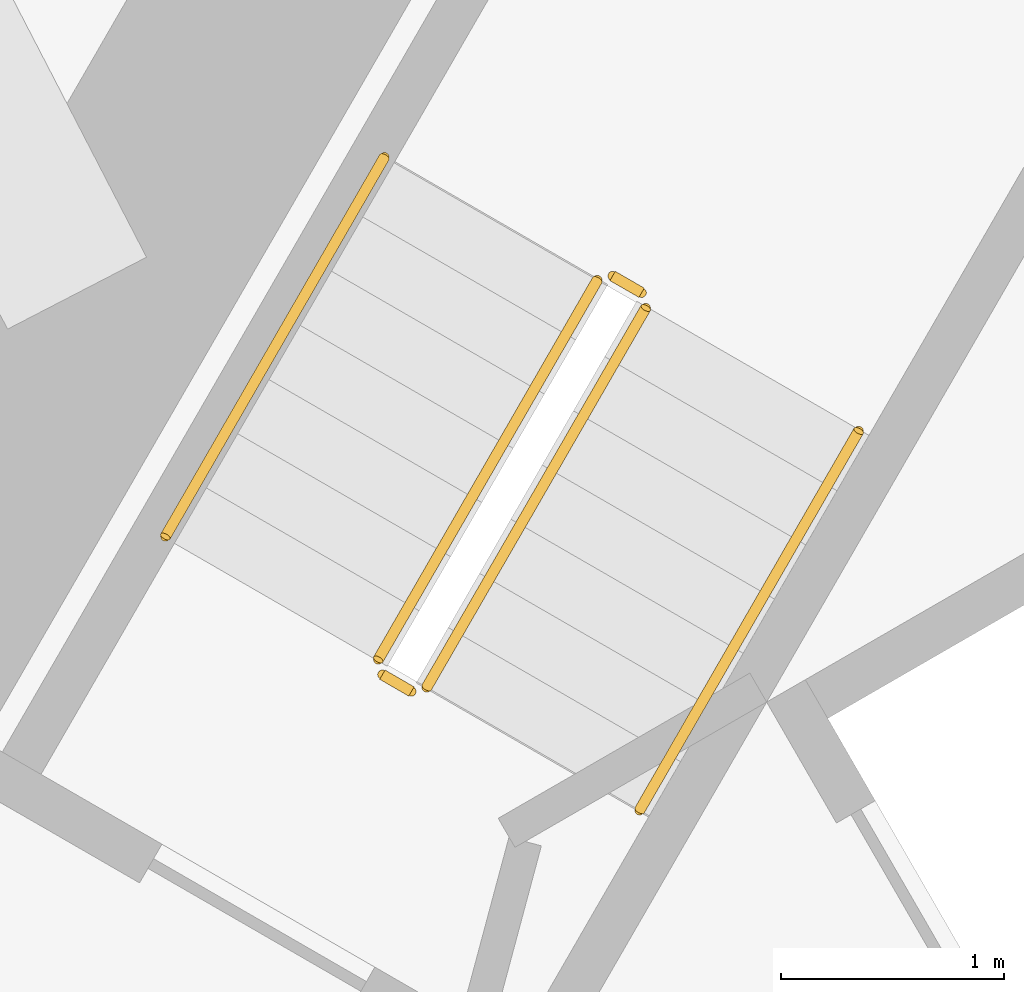
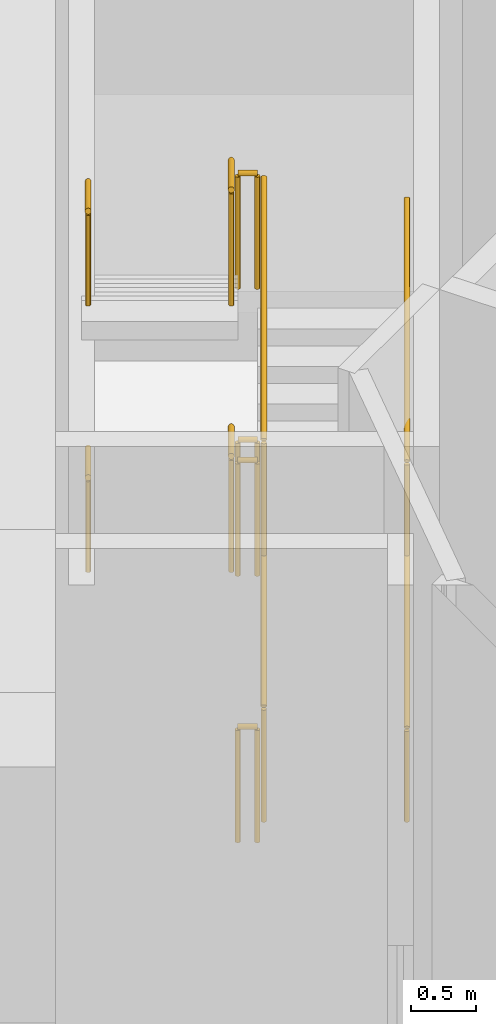
# One storey, part 18 of 20: 12 railings.
"""IFC4 building model written with IfcOpenShell, lengths in metres."""

from ifc_helpers import new_model, si_unit, direction, frame, origin, origin_2d, place, context, subcontext, project, spatial, circle, extrude, material, type_object, element, save


model = new_model("IFC4")

# Units and contexts
model_context = context("Model", 3, precision=1e-05, world=origin(), true_north=direction((0.0, 1.0)))
body_context = subcontext(model_context, "Body", "Model", "MODEL_VIEW")
ifc_project = project(units=[si_unit("LENGTHUNIT", "METRE"), si_unit("AREAUNIT", "SQUARE_METRE"), si_unit("VOLUMEUNIT", "CUBIC_METRE"), si_unit("PLANEANGLEUNIT", "RADIAN"), si_unit("MASSUNIT", "GRAM", prefix="KILO")], contexts=[model_context])

# Site, building, storey
site_placement = place(None, origin())
site = spatial("IfcSite", under=ifc_project, at=site_placement, CompositionType="ELEMENT")
building_placement = place(site_placement, origin())
building = spatial("IfcBuilding", under=site, at=building_placement, Name="Tramontana Tower", CompositionType="ELEMENT")
storey_placement = place(building_placement, frame((0.0, 0.0, 15.0)))
storey = spatial("IfcBuildingStorey", under=building, at=storey_placement, Name="L02", CompositionType="ELEMENT", Elevation=15.0)

# Railings
ifc_material_1 = material(Name="Painted steel", Category="steel")
railing_type_1 = type_object("IfcRailingType", Name="STAIR GUARD 1100", PredefinedType="GUARDRAIL", material=ifc_material_1)
railing_1_placement = place(storey_placement, frame((-1.867431640625, 4.865478515625, 0.15625)))
element("IfcRailing", 1, at=railing_1_placement, inside=storey, type_object=railing_type_1, Name="L02 ST1 stair guard 1", PredefinedType="GUARDRAIL", context=body_context, shape_type="SweptSolid", body=[
    extrude(circle(Radius=0.02392578125, at=origin_2d()), frame((0.0, 0.0, 1.076171875), z_axis=(0.436596390967, 0.756266742998, 0.487282469241), x_axis=(-0.866042469362, 0.499970440388, 0.0)), (0.0, 0.0, 1.0), 2.24462890625),
    extrude(circle(Radius=0.02099609375, at=origin_2d()), origin(), (0.0, 0.0, 1.0), 1.052001953125),
    extrude(circle(Radius=0.02099609375, at=origin_2d()), frame((0.489990234375, 0.8486328125, 0.546875)), (0.0, 0.0, 1.0), 1.052001953125),
    extrude(circle(Radius=0.02099609375, at=origin_2d()), frame((0.97998046875, 1.697509765625, 1.09375)), (0.0, 0.0, 1.0), 1.052001953125),
])
railing_2_placement = place(storey_placement, frame((-1.10400390625, 6.68798828125, 1.40625)))
element("IfcRailing", 2, at=railing_2_placement, inside=storey, type_object=railing_type_1, Name="L02 ST1 stair guard 2", PredefinedType="GUARDRAIL", context=body_context, shape_type="SweptSolid", body=[
    extrude(circle(Radius=0.02392578125, at=origin_2d()), frame((0.0, 0.0, 1.076171875), z_axis=(-0.436596390967, -0.756266742998, 0.487282469241), x_axis=(0.866042469362, -0.499970440388, 0.0)), (0.0, 0.0, 1.0), 2.24462890625),
    extrude(circle(Radius=0.02099609375, at=origin_2d()), origin(), (0.0, 0.0, 1.0), 1.052001953125),
    extrude(circle(Radius=0.02099609375, at=origin_2d()), frame((-0.489990234375, -0.8486328125, 0.546875)), (0.0, 0.0, 1.0), 1.052001953125),
    extrude(circle(Radius=0.02099609375, at=origin_2d()), frame((-0.97998046875, -1.697509765625, 1.09375)), (0.0, 0.0, 1.0), 1.052001953125),
])
railing_3_placement = place(storey_placement, frame((-1.867431640625, 4.865478515625, 2.65625)))
element("IfcRailing", 3, at=railing_3_placement, inside=storey, type_object=railing_type_1, Name="L02 ST1 stair guard 3", PredefinedType="GUARDRAIL", context=body_context, shape_type="SweptSolid", body=[
    extrude(circle(Radius=0.02392578125, at=origin_2d()), frame((0.0, 0.0, 1.076171875), z_axis=(0.436596390967, 0.756266742998, 0.487282469241), x_axis=(-0.866042469362, 0.499970440388, 0.0)), (0.0, 0.0, 1.0), 2.24462890625),
    extrude(circle(Radius=0.02099609375, at=origin_2d()), origin(), (0.0, 0.0, 1.0), 1.052001953125),
    extrude(circle(Radius=0.02099609375, at=origin_2d()), frame((0.489990234375, 0.8486328125, 0.546875)), (0.0, 0.0, 1.0), 1.052001953125),
    extrude(circle(Radius=0.02099609375, at=origin_2d()), frame((0.97998046875, 1.697509765625, 1.09375)), (0.0, 0.0, 1.0), 1.052001953125),
])
railing_4_placement = place(storey_placement, frame((-1.10400390625, 6.68798828125, 3.90625)))
element("IfcRailing", 4, at=railing_4_placement, inside=storey, type_object=railing_type_1, Name="L02 ST1 stair guard 4", PredefinedType="GUARDRAIL", context=body_context, shape_type="SweptSolid", body=[
    extrude(circle(Radius=0.02392578125, at=origin_2d()), frame((0.0, 0.0, 1.076171875), z_axis=(-0.436596390967, -0.756266742998, 0.487282469241), x_axis=(0.866042469362, -0.499970440388, 0.0)), (0.0, 0.0, 1.0), 2.24462890625),
    extrude(circle(Radius=0.02099609375, at=origin_2d()), origin(), (0.0, 0.0, 1.0), 1.052001953125),
    extrude(circle(Radius=0.02099609375, at=origin_2d()), frame((-0.489990234375, -0.8486328125, 0.546875)), (0.0, 0.0, 1.0), 1.052001953125),
    extrude(circle(Radius=0.02099609375, at=origin_2d()), frame((-0.97998046875, -1.697509765625, 1.09375)), (0.0, 0.0, 1.0), 1.052001953125),
])
railing_5_placement = place(storey_placement, frame((-0.90576171875, 6.63134765625, 1.25)))
element("IfcRailing", 5, at=railing_5_placement, inside=storey, type_object=railing_type_1, Name="L02 ST1 stair guard 5", PredefinedType="GUARDRAIL", context=body_context, shape_type="SweptSolid", body=[
    extrude(circle(Radius=0.02392578125, at=origin_2d()), frame((0.0, 0.0, 1.076171875), z_axis=(-0.866131372301, 0.499816412211, 0.0), x_axis=(-0.499816412211, -0.866131372301, 0.0)), (0.0, 0.0, 1.0), 0.14990234375),
    extrude(circle(Radius=0.02099609375, at=origin_2d()), origin(), (0.0, 0.0, 1.0), 1.052001953125),
    extrude(circle(Radius=0.02099609375, at=origin_2d()), frame((-0.1298828125, 0.074951171875, 0.0)), (0.0, 0.0, 1.0), 1.052001953125),
])
railing_6_placement = place(storey_placement, frame((-1.935791015625, 4.84716796875, 2.5)))
element("IfcRailing", 6, at=railing_6_placement, inside=storey, type_object=railing_type_1, Name="L02 ST1 stair guard 6", PredefinedType="GUARDRAIL", context=body_context, shape_type="SweptSolid", body=[
    extrude(circle(Radius=0.02392578125, at=origin_2d()), frame((0.0, 0.0, 1.076171875), z_axis=(-0.865426285481, 0.501036270542, 0.0), x_axis=(-0.501036270542, -0.865426285481, 0.0)), (0.0, 0.0, 1.0), 0.150146484375),
    extrude(circle(Radius=0.02099609375, at=origin_2d()), origin(), (0.0, 0.0, 1.0), 1.052001953125),
    extrude(circle(Radius=0.02099609375, at=origin_2d()), frame((-0.1298828125, 0.0751953125, 0.0)), (0.0, 0.0, 1.0), 1.052001953125),
])
railing_7_placement = place(storey_placement, frame((-0.90576171875, 6.63134765625, 3.75)))
element("IfcRailing", 7, at=railing_7_placement, inside=storey, type_object=railing_type_1, Name="L02 ST1 stair guard 7", PredefinedType="GUARDRAIL", context=body_context, shape_type="SweptSolid", body=[
    extrude(circle(Radius=0.02392578125, at=origin_2d()), frame((0.0, 0.0, 1.076171875), z_axis=(-0.866131372301, 0.499816412211, 0.0), x_axis=(-0.499816412211, -0.866131372301, 0.0)), (0.0, 0.0, 1.0), 0.14990234375),
    extrude(circle(Radius=0.02099609375, at=origin_2d()), origin(), (0.0, 0.0, 1.0), 1.052001953125),
    extrude(circle(Radius=0.02099609375, at=origin_2d()), frame((-0.1298828125, 0.074951171875, 0.0)), (0.0, 0.0, 1.0), 1.052001953125),
])
railing_8_placement = place(storey_placement, frame((-1.935791015625, 4.84716796875, 0.0)))
element("IfcRailing", 8, at=railing_8_placement, inside=storey, type_object=railing_type_1, Name="L02 ST1 stair guard 8", PredefinedType="GUARDRAIL", context=body_context, shape_type="SweptSolid", body=[
    extrude(circle(Radius=0.02392578125, at=origin_2d()), frame((0.0, 0.0, 1.076171875), z_axis=(-0.865426285481, 0.501036270542, 0.0), x_axis=(-0.501036270542, -0.865426285481, 0.0)), (0.0, 0.0, 1.0), 0.150146484375),
    extrude(circle(Radius=0.02099609375, at=origin_2d()), origin(), (0.0, 0.0, 1.0), 1.052001953125),
    extrude(circle(Radius=0.02099609375, at=origin_2d()), frame((-0.1298828125, 0.0751953125, 0.0)), (0.0, 0.0, 1.0), 1.052001953125),
])
ifc_material_2 = material(Name="Painted steel", Category="steel")
railing_type_2 = type_object("IfcRailingType", Name="STAIR HANDRAIL 900", PredefinedType="HANDRAIL", material=ifc_material_2)
railing_9_placement = place(storey_placement, frame((-0.914794921875, 4.315673828125, 0.15625)))
element("IfcRailing", 9, at=railing_9_placement, inside=storey, type_object=railing_type_2, Name="L02 ST1 stair handrail 1", PredefinedType="HANDRAIL", context=body_context, shape_type="SweptSolid", body=[
    extrude(circle(Radius=0.02392578125, at=origin_2d()), frame((0.0, 0.0, 0.8759765625), z_axis=(0.436632306331, 0.756220177781, 0.487322554151), x_axis=(-0.866011328839, 0.500024377727, 0.0)), (0.0, 0.0, 1.0), 2.244384765625),
    extrude(circle(Radius=0.02099609375, at=origin_2d()), origin(), (0.0, 0.0, 1.0), 0.851806640625),
    extrude(circle(Radius=0.02099609375, at=origin_2d()), frame((0.489990234375, 0.8486328125, 0.546875)), (0.0, 0.0, 1.0), 0.851806640625),
    extrude(circle(Radius=0.02099609375, at=origin_2d()), frame((0.97998046875, 1.697265625, 1.09375)), (0.0, 0.0, 1.0), 0.851806640625),
])
railing_10_placement = place(storey_placement, frame((-2.056640625, 7.238037109375, 1.40625)))
element("IfcRailing", 10, at=railing_10_placement, inside=storey, type_object=railing_type_2, Name="L02 ST1 stair handrail 2", PredefinedType="HANDRAIL", context=body_context, shape_type="SweptSolid", body=[
    extrude(circle(Radius=0.02392578125, at=origin_2d()), frame((0.0, 0.0, 0.8759765625), z_axis=(-0.436596390967, -0.756266742998, 0.487282469241), x_axis=(0.866042469362, -0.499970440388, 0.0)), (0.0, 0.0, 1.0), 2.24462890625),
    extrude(circle(Radius=0.02099609375, at=origin_2d()), origin(), (0.0, 0.0, 1.0), 0.851806640625),
    extrude(circle(Radius=0.02099609375, at=origin_2d()), frame((-0.489990234375, -0.8486328125, 0.546875)), (0.0, 0.0, 1.0), 0.851806640625),
    extrude(circle(Radius=0.02099609375, at=origin_2d()), frame((-0.97998046875, -1.697509765625, 1.09375)), (0.0, 0.0, 1.0), 0.851806640625),
])
railing_11_placement = place(storey_placement, frame((-0.914794921875, 4.315673828125, 2.65625)))
element("IfcRailing", 11, at=railing_11_placement, inside=storey, type_object=railing_type_2, Name="L02 ST1 stair handrail 3", PredefinedType="HANDRAIL", context=body_context, shape_type="SweptSolid", body=[
    extrude(circle(Radius=0.02392578125, at=origin_2d()), frame((0.0, 0.0, 0.8759765625), z_axis=(0.436632306331, 0.756220177781, 0.487322554151), x_axis=(-0.866011328839, 0.500024377727, 0.0)), (0.0, 0.0, 1.0), 2.244384765625),
    extrude(circle(Radius=0.02099609375, at=origin_2d()), origin(), (0.0, 0.0, 1.0), 0.851806640625),
    extrude(circle(Radius=0.02099609375, at=origin_2d()), frame((0.489990234375, 0.8486328125, 0.546875)), (0.0, 0.0, 1.0), 0.851806640625),
    extrude(circle(Radius=0.02099609375, at=origin_2d()), frame((0.97998046875, 1.697265625, 1.09375)), (0.0, 0.0, 1.0), 0.851806640625),
])
railing_12_placement = place(storey_placement, frame((-2.056640625, 7.238037109375, 3.90625)))
element("IfcRailing", 12, at=railing_12_placement, inside=storey, type_object=railing_type_2, Name="L02 ST1 stair handrail 4", PredefinedType="HANDRAIL", context=body_context, shape_type="SweptSolid", body=[
    extrude(circle(Radius=0.02392578125, at=origin_2d()), frame((0.0, 0.0, 0.8759765625), z_axis=(-0.436596390967, -0.756266742998, 0.487282469241), x_axis=(0.866042469362, -0.499970440388, 0.0)), (0.0, 0.0, 1.0), 2.24462890625),
    extrude(circle(Radius=0.02099609375, at=origin_2d()), origin(), (0.0, 0.0, 1.0), 0.851806640625),
    extrude(circle(Radius=0.02099609375, at=origin_2d()), frame((-0.489990234375, -0.8486328125, 0.546875)), (0.0, 0.0, 1.0), 0.851806640625),
    extrude(circle(Radius=0.02099609375, at=origin_2d()), frame((-0.97998046875, -1.697509765625, 1.09375)), (0.0, 0.0, 1.0), 0.851806640625),
])

save(model, "model.ifc")
